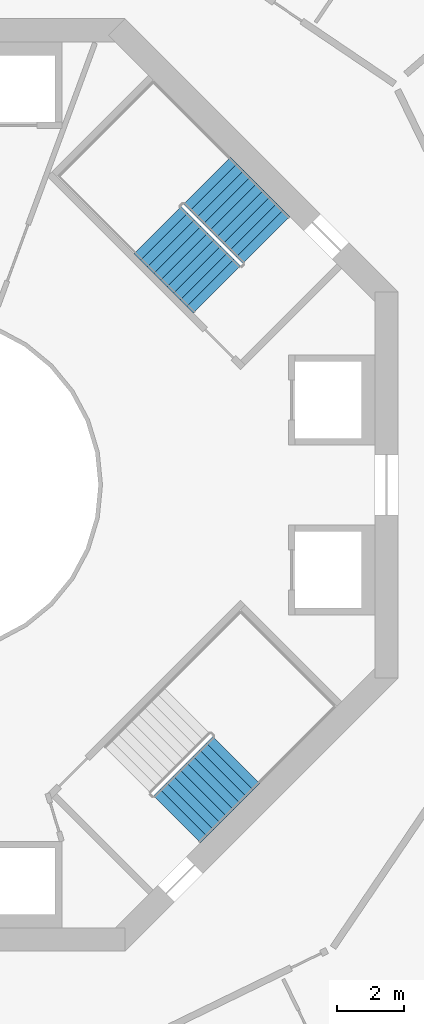
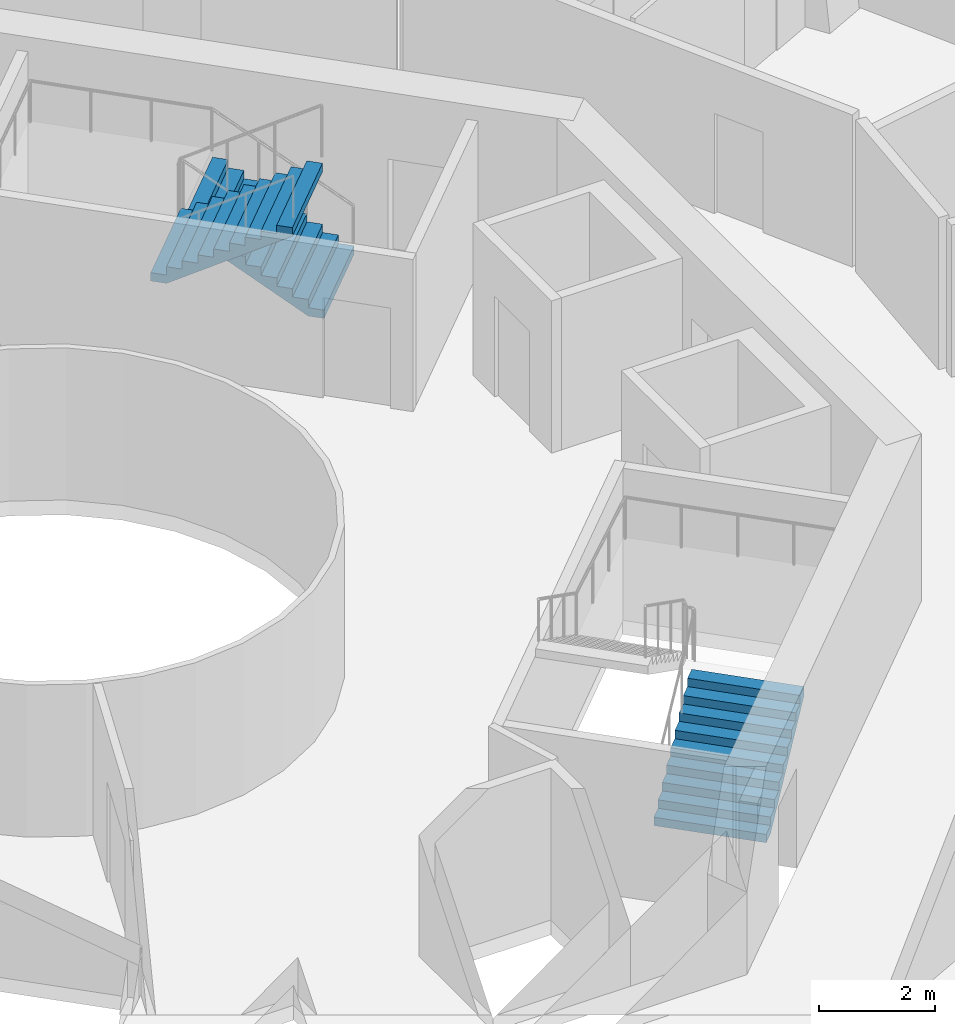
# One storey, part 21 of 22: 3 stair flights, 2 elements without a shape of their own.
"""IFC4 building model written with IfcOpenShell, lengths in metres."""

import ifcopenshell
import ifcopenshell.guid

model = None  # the IFC model being written
_history = None  # IfcOwnerHistory: only IFC2X3 demands one
_inside = {}  # id of a spatial element -> (the spatial element, [elements in it])
_under = {}  # id of a project, library or spatial element -> (it, [spatial elements below it])
_declared = {}  # id of a project -> (the project, [libraries it declares])
_typed = {}  # id of a type object -> (the type object, [elements of that type])
_made_of = {}  # id of a material, layer set ... -> (it, [elements and type objects made of it])


def new_model(schema):
    """Start an empty IFC model of exactly this schema.

    Asked for "IFC4X3", IfcOpenShell would pick the latest addendum, in which some entities
    have other attributes; the version numbers below select the first issue.
    IFC2X3 requires an IfcOwnerHistory on every rooted entity: one is made here for all.
    """
    global model, _history
    if schema == "IFC4X3":
        model = ifcopenshell.file(schema_version=(4, 3, 0, 0))
    else:
        model = ifcopenshell.file(schema=schema)
    _inside.clear()
    _under.clear()
    _declared.clear()
    _typed.clear()
    _made_of.clear()
    _history = None
    if model.schema == "IFC2X3":
        org = make("IfcOrganization", Name="unknown")
        user = make(
            "IfcPersonAndOrganization",
            ThePerson=make("IfcPerson", FamilyName="unknown"),
            TheOrganization=org,
        )
        app = make(
            "IfcApplication",
            ApplicationDeveloper=org,
            Version="unknown",
            ApplicationFullName="unknown",
            ApplicationIdentifier="unknown",
        )
        _history = make(
            "IfcOwnerHistory",
            OwningUser=user,
            OwningApplication=app,
            ChangeAction="ADDED",
            CreationDate=0,
        )
    return model


def make(cls, **values):
    """One entity of the class cls with the attributes given. An attribute that is None is left unset."""
    return model.create_entity(
        cls, **{name: value for name, value in values.items() if value is not None}
    )


def rooted(cls, **values):
    """An entity with a GlobalId (a new one), such as an element, a storey or a relation."""
    return make(cls, GlobalId=ifcopenshell.guid.new(), OwnerHistory=_history, **values)


def si_unit(unit_type, name, prefix=None):
    """IfcSIUnit, for example si_unit("LENGTHUNIT", "METRE", prefix="MILLI")."""
    return make("IfcSIUnit", UnitType=unit_type, Prefix=prefix, Name=name)


def assignment(units):
    """IfcUnitAssignment: the units of a project."""
    return None if units is None else make("IfcUnitAssignment", Units=units)


def point(xyz):
    """IfcCartesianPoint."""
    return None if xyz is None else make("IfcCartesianPoint", Coordinates=xyz)


def direction(xyz):
    """IfcDirection."""
    return None if xyz is None else make("IfcDirection", DirectionRatios=xyz)


def frame(location, z_axis=None, x_axis=None):
    """IfcAxis2Placement3D, a coordinate frame: its origin and axes. An axis left out is left unset."""
    return make(
        "IfcAxis2Placement3D",
        Location=point(location),
        Axis=direction(z_axis),
        RefDirection=direction(x_axis),
    )


def origin():
    """The frame at (0, 0, 0) with its axes left unset."""
    return frame((0.0, 0.0, 0.0))


def place(relative_to, where):
    """IfcLocalPlacement: puts the frame where relative to a parent placement (None: the world)."""
    return make(
        "IfcLocalPlacement", PlacementRelTo=relative_to, RelativePlacement=where
    )


def context(
    kind, dimensions, precision=None, world=None, true_north=None, identifier=None
):
    """IfcGeometricRepresentationContext, for example the 3D "Model" context."""
    return make(
        "IfcGeometricRepresentationContext",
        ContextIdentifier=identifier,
        ContextType=kind,
        CoordinateSpaceDimension=dimensions,
        Precision=precision,
        WorldCoordinateSystem=world,
        TrueNorth=true_north,
    )


def subcontext(parent, identifier, kind, view, scale=None):
    """IfcGeometricRepresentationSubContext, for example "Body" below "Model"."""
    return make(
        "IfcGeometricRepresentationSubContext",
        ContextIdentifier=identifier,
        ContextType=kind,
        ParentContext=parent,
        TargetScale=scale,
        TargetView=view,
    )


def project(units=None, contexts=None):
    """IfcProject with its units and contexts."""
    return rooted(
        "IfcProject",
        Name="project",
        RepresentationContexts=contexts,
        UnitsInContext=assignment(units),
    )


def spatial(cls, under=None, at=None, **own):
    """A site, building, storey or space (cls), placed at a placement, below another one or the project."""
    s = rooted(cls, ObjectPlacement=at, **own)
    if under is not None:
        _under.setdefault(under.id(), (under, []))[1].append(s)
    return s


def point_list(points):
    """IfcCartesianPointList2D or 3D."""
    cls = (
        "IfcCartesianPointList2D" if len(points[0]) == 2 else "IfcCartesianPointList3D"
    )
    return make(cls, CoordList=points)


def triangles(points, corners, closed=None, point_numbers=None):
    """IfcTriangulatedFaceSet: each triangle names its three corners, points numbered from 1."""
    return make(
        "IfcTriangulatedFaceSet",
        Coordinates=point_list(points),
        Closed=closed,
        CoordIndex=corners,
        PnIndex=point_numbers,
    )


def shape(context_of_items, identifier, shape_type, items):
    """IfcShapeRepresentation: the items that make up one representation, for example the "Body"."""
    return make(
        "IfcShapeRepresentation",
        ContextOfItems=context_of_items,
        RepresentationIdentifier=identifier,
        RepresentationType=shape_type,
        Items=items,
    )


def material(Name=None, Category=None):
    """IfcMaterial."""
    return make("IfcMaterial", Name=Name, Category=Category)


def made_of(thing, what):
    """Note that an element or type object is made of a material, layer set ...; save() writes the relation."""
    if what is not None:
        _made_of.setdefault(what.id(), (what, []))[1].append(thing)
    return thing


def type_object(cls, material=None, **own):
    """A type object (cls), such as IfcWallType, which elements share."""
    return made_of(rooted(cls, **own), material)


def element(
    cls,
    number,
    at=None,
    inside=None,
    cuts=None,
    type_object=None,
    material=None,
    context=None,
    identifier="Body",
    shape_type=None,
    held_by="IfcProductDefinitionShape",
    body=None,
    shapes=None,
    **own,
):
    """One element of the class cls, such as IfcWall. Its Tag is "e" and its number.

    at: its placement. inside: the storey or other place that contains it. cuts: it is an
    opening in that element (IfcRelVoidsElement). A single representation is given by context,
    identifier, shape_type and body (its items); several are given by shapes. held_by: the class
    of the entity that holds the representations. save() writes the other relations.
    """
    e = rooted(cls, Tag="e%d" % number, ObjectPlacement=at, **own)
    if body is not None:
        shapes = [shape(context, identifier, shape_type, body)]
    if shapes is not None:
        e.Representation = make(held_by, Representations=shapes)
    if inside is not None:
        _inside.setdefault(inside.id(), (inside, []))[1].append(e)
    if cuts is not None:
        rooted(
            "IfcRelVoidsElement", RelatingBuildingElement=cuts, RelatedOpeningElement=e
        )
    if type_object is not None:
        _typed.setdefault(type_object.id(), (type_object, []))[1].append(e)
    return made_of(e, material)


def aggregate(whole, parts):
    """IfcRelAggregates: a whole, such as a stair, and the parts it consists of."""
    return rooted("IfcRelAggregates", RelatingObject=whole, RelatedObjects=parts)


def save(model, path):
    """Write the relations noted so far, then the file.

    IfcRelAggregates (storeys below a building ...), IfcRelContainedInSpatialStructure (elements
    in a storey), IfcRelDefinesByType, IfcRelAssociatesMaterial and IfcRelDeclares: one each for
    every whole, place, type object, material and project.
    """
    for whole, parts in _under.values():
        aggregate(whole, parts)
    for where, things in _inside.values():
        rooted(
            "IfcRelContainedInSpatialStructure",
            RelatedElements=things,
            RelatingStructure=where,
        )
    for kind, things in _typed.values():
        rooted("IfcRelDefinesByType", RelatedObjects=things, RelatingType=kind)
    for what, things in _made_of.values():
        rooted("IfcRelAssociatesMaterial", RelatedObjects=things, RelatingMaterial=what)
    for by, libraries in _declared.values():
        rooted("IfcRelDeclares", RelatingContext=by, RelatedDefinitions=libraries)
    model.write(path)


model = new_model("IFC4")

# Units and contexts
model_context = context("Model", 3, precision=1e-05, world=origin(), true_north=direction((0.0, 1.0)))
body_context = subcontext(model_context, "Body", "Model", "MODEL_VIEW")
ifc_project = project(units=[si_unit("LENGTHUNIT", "METRE"), si_unit("AREAUNIT", "SQUARE_METRE"), si_unit("VOLUMEUNIT", "CUBIC_METRE"), si_unit("PLANEANGLEUNIT", "RADIAN"), si_unit("MASSUNIT", "GRAM", prefix="KILO")], contexts=[model_context])

# Site, building, storey
site_placement = place(None, origin())
site = spatial("IfcSite", under=ifc_project, at=site_placement, CompositionType="ELEMENT")
building_placement = place(site_placement, origin())
building = spatial("IfcBuilding", under=site, at=building_placement, Name="Verdalira Terraces Hotel", CompositionType="ELEMENT")
storey_placement = place(building_placement, frame((0.0, 0.0, 140.0)))
storey = spatial("IfcBuildingStorey", under=building, at=storey_placement, Name="L33", CompositionType="ELEMENT", Elevation=140.0)

# Stair, stair flights
ifc_material_1 = material(Name="Concrete C40", Category="concrete")
stair_type = type_object("IfcStairType", Name="Core stair 20 risers 2000 mm wide", PredefinedType="HALF_TURN_STAIR", material=ifc_material_1)
stair_1_placement = place(storey_placement, origin())
stair_1 = element("IfcStair", 1, at=stair_1_placement, inside=storey, type_object=stair_type, Name="L33 Exit stair ST1", PredefinedType="HALF_TURN_STAIR")
ifc_material_2 = material(Name="Concrete C40", Category="concrete")
stair_flight_type = type_object("IfcStairFlightType", Name="Core stair flight 20 risers 2000 mm wide", PredefinedType="STRAIGHT", material=ifc_material_2)
stair_flight_1_placement = place(storey_placement, frame((10.041016, 7.354004, 0.0), z_axis=(0.0, 0.0, 1.0), x_axis=(-0.707106781, 0.707106781, 0.0)))
stair_flight_1 = element("IfcStairFlight", 2, at=stair_flight_1_placement, type_object=stair_flight_type, Name="ST1 flight 1", NumberOfRisers=10, NumberOfTreads=9, PredefinedType="STRAIGHT", RiserHeight=0.175, TreadLength=0.28, context=body_context, shape_type="Tessellation", body=[
    triangles([(0.0, 1.0, 0.0), (0.282715, 1.0, 0.0), (2.52002, 1.0, 1.398193), (0.0, -1.0, 0.0), (0.282715, -1.0, 0.0), (2.52002, -1.0, 1.398193), (2.52002, 1.0, 1.574951), (2.23999, 1.0, 1.574951), (2.52002, -1.0, 1.574951), (2.23999, -1.0, 1.574951), (2.23999, 1.0, 1.399902), (2.23999, -1.0, 1.399902), (1.959961, 1.0, 1.399902), (1.959961, -1.0, 1.399902), (1.959961, 1.0, 1.225098), (1.959961, -1.0, 1.225098), (1.679932, 1.0, 1.225098), (1.679932, 1.0, 1.050049), (1.679932, -1.0, 1.225098), (1.679932, -1.0, 1.050049), (1.399902, 1.0, 1.050049), (1.399902, 1.0, 0.875), (1.399902, -1.0, 1.050049), (1.399902, -1.0, 0.875), (1.120117, 1.0, 0.875), (1.120117, 1.0, 0.699951), (1.120117, -1.0, 0.875), (1.120117, -1.0, 0.699951), (0.840088, 1.0, 0.699951), (0.840088, 1.0, 0.524902), (0.840088, -1.0, 0.699951), (0.840088, -1.0, 0.524902), (0.560059, 1.0, 0.524902), (0.560059, 1.0, 0.350098), (0.560059, -1.0, 0.524902), (0.560059, -1.0, 0.350098), (0.280029, 1.0, 0.350098), (0.280029, 1.0, 0.175049), (0.280029, -1.0, 0.350098), (0.280029, -1.0, 0.175049), (0.0, 1.0, 0.175049), (0.0, -1.0, 0.175049), (0.0, -0.9375, 0.0), (0.0, -0.9375, 0.175049), (0.0, -0.875, 0.0), (0.0, -0.875, 0.175049), (0.0, -0.8125, 0.0), (0.0, -0.8125, 0.175049), (0.0, -0.75, 0.0), (0.0, -0.75, 0.175049), (0.0, -0.6875, 0.0), (0.0, -0.6875, 0.175049), (0.0, -0.625, 0.0), (0.0, -0.625, 0.175049), (0.0, -0.5625, 0.0), (0.0, -0.5625, 0.175049), (0.0, -0.5, 0.0), (0.0, -0.5, 0.175049), (0.0, -0.4375, 0.0), (0.0, -0.4375, 0.175049), (0.0, -0.375, 0.0), (0.0, -0.375, 0.175049), (0.0, -0.3125, 0.0), (0.0, -0.3125, 0.175049), (0.0, -0.25, 0.0), (0.0, -0.25, 0.175049), (0.0, -0.1875, 0.0), (0.0, -0.1875, 0.175049), (0.0, -0.125, 0.0), (0.0, -0.125, 0.175049), (0.0, -0.0625, 0.0), (0.0, -0.0625, 0.175049), (0.0, 0.0, 0.0), (0.0, 0.0, 0.175049), (0.0, 0.0625, 0.0), (0.0, 0.0625, 0.175049), (0.0, 0.125, 0.0), (0.0, 0.125, 0.175049), (0.0, 0.1875, 0.0), (0.0, 0.1875, 0.175049), (0.0, 0.25, 0.0), (0.0, 0.25, 0.175049), (0.0, 0.3125, 0.0), (0.0, 0.3125, 0.175049), (0.0, 0.375, 0.0), (0.0, 0.375, 0.175049), (0.0, 0.4375, 0.0), (0.0, 0.4375, 0.175049), (0.0, 0.5, 0.0), (0.0, 0.5, 0.175049), (0.0, 0.5625, 0.0), (0.0, 0.5625, 0.175049), (0.0, 0.625, 0.0), (0.0, 0.625, 0.175049), (0.0, 0.6875, 0.0), (0.0, 0.6875, 0.175049), (0.0, 0.75, 0.0), (0.0, 0.75, 0.175049), (0.0, 0.8125, 0.0), (0.0, 0.8125, 0.175049), (0.0, 0.875, 0.0), (0.0, 0.875, 0.175049), (0.0, 0.9375, 0.0), (0.0, 0.9375, 0.175049), (2.52002, -0.9375, 1.574951), (2.52002, -0.875, 1.574951), (2.52002, -0.8125, 1.574951), (2.52002, -0.75, 1.574951), (2.52002, -0.6875, 1.574951), (2.52002, -0.625, 1.574951), (2.52002, -0.5625, 1.574951), (2.52002, -0.5, 1.574951), (2.52002, -0.4375, 1.574951), (2.52002, -0.375, 1.574951), (2.52002, -0.3125, 1.574951), (2.52002, -0.25, 1.574951), (2.52002, -0.1875, 1.574951), (2.52002, -0.125, 1.574951), (2.52002, -0.0625, 1.574951), (2.52002, 0.0, 1.574951), (2.52002, 0.0625, 1.574951), (2.52002, 0.125, 1.574951), (2.52002, 0.1875, 1.574951), (2.52002, 0.25, 1.574951), (2.52002, 0.3125, 1.574951), (2.52002, 0.375, 1.574951), (2.52002, 0.4375, 1.574951), (2.52002, 0.5, 1.574951), (2.52002, 0.5625, 1.574951), (2.52002, 0.625, 1.574951), (2.52002, 0.6875, 1.574951), (2.52002, 0.75, 1.574951), (2.52002, 0.8125, 1.574951), (2.52002, 0.875, 1.574951), (2.52002, 0.9375, 1.574951), (2.52002, -0.9375, 1.398193), (2.52002, -0.875, 1.398193), (2.52002, -0.8125, 1.398193), (2.52002, -0.75, 1.398193), (2.52002, -0.6875, 1.398193), (2.52002, -0.625, 1.398193), (2.52002, -0.5625, 1.398193), (2.52002, -0.5, 1.398193), (2.52002, -0.4375, 1.398193), (2.52002, -0.375, 1.398193), (2.52002, -0.3125, 1.398193), (2.52002, -0.25, 1.398193), (2.52002, -0.1875, 1.398193), (2.52002, -0.125, 1.398193), (2.52002, -0.0625, 1.398193), (2.52002, 0.0, 1.398193), (2.52002, 0.0625, 1.398193), (2.52002, 0.125, 1.398193), (2.52002, 0.1875, 1.398193), (2.52002, 0.25, 1.398193), (2.52002, 0.3125, 1.398193), (2.52002, 0.375, 1.398193), (2.52002, 0.4375, 1.398193), (2.52002, 0.5, 1.398193), (2.52002, 0.5625, 1.398193), (2.52002, 0.625, 1.398193), (2.52002, 0.6875, 1.398193), (2.52002, 0.75, 1.398193), (2.52002, 0.8125, 1.398193), (2.52002, 0.875, 1.398193), (2.52002, 0.9375, 1.398193)], [[1, 3, 2], [4, 5, 6], [3, 8, 7], [6, 9, 10], [3, 11, 8], [6, 10, 12], [3, 13, 11], [6, 12, 14], [3, 15, 13], [6, 14, 16], [15, 18, 17], [16, 19, 20], [3, 18, 15], [6, 16, 20], [18, 22, 21], [20, 23, 24], [3, 22, 18], [6, 20, 24], [22, 26, 25], [24, 27, 28], [3, 26, 22], [6, 24, 28], [26, 30, 29], [28, 31, 32], [3, 30, 26], [6, 28, 32], [1, 30, 3], [4, 6, 32], [30, 34, 33], [32, 35, 36], [34, 38, 37], [36, 39, 40], [30, 38, 34], [32, 36, 40], [1, 38, 30], [4, 32, 40], [38, 1, 41], [40, 42, 4], [4, 44, 43], [4, 42, 44], [43, 46, 45], [43, 44, 46], [45, 48, 47], [45, 46, 48], [47, 50, 49], [47, 48, 50], [49, 52, 51], [49, 50, 52], [51, 54, 53], [51, 52, 54], [53, 56, 55], [53, 54, 56], [55, 58, 57], [55, 56, 58], [57, 60, 59], [57, 58, 60], [59, 62, 61], [59, 60, 62], [61, 64, 63], [61, 62, 64], [63, 66, 65], [63, 64, 66], [65, 68, 67], [65, 66, 68], [67, 70, 69], [67, 68, 70], [69, 72, 71], [69, 70, 72], [71, 74, 73], [71, 72, 74], [73, 76, 75], [73, 74, 76], [75, 78, 77], [75, 76, 78], [77, 80, 79], [77, 78, 80], [79, 82, 81], [79, 80, 82], [81, 84, 83], [81, 82, 84], [83, 86, 85], [83, 84, 86], [85, 88, 87], [85, 86, 88], [87, 90, 89], [87, 88, 90], [89, 92, 91], [89, 90, 92], [91, 94, 93], [91, 92, 94], [93, 96, 95], [93, 94, 96], [95, 98, 97], [95, 96, 98], [97, 100, 99], [97, 98, 100], [99, 102, 101], [99, 100, 102], [101, 104, 103], [101, 102, 104], [103, 41, 1], [103, 104, 41], [42, 40, 44], [44, 40, 46], [46, 40, 48], [48, 40, 50], [50, 40, 52], [52, 40, 54], [54, 40, 56], [56, 40, 58], [58, 40, 60], [60, 40, 62], [62, 40, 64], [64, 40, 66], [66, 40, 68], [68, 40, 70], [70, 40, 72], [72, 40, 74], [74, 40, 76], [76, 40, 78], [78, 40, 80], [80, 40, 82], [82, 40, 84], [84, 40, 86], [86, 40, 88], [88, 40, 90], [90, 40, 92], [92, 40, 94], [94, 40, 96], [96, 40, 98], [98, 40, 100], [100, 40, 102], [102, 40, 104], [104, 40, 41], [41, 40, 38], [40, 37, 38], [40, 39, 37], [39, 34, 37], [39, 36, 34], [36, 33, 34], [36, 35, 33], [35, 30, 33], [35, 32, 30], [32, 29, 30], [32, 31, 29], [31, 26, 29], [31, 28, 26], [28, 25, 26], [28, 27, 25], [27, 22, 25], [27, 24, 22], [24, 21, 22], [24, 23, 21], [23, 18, 21], [23, 20, 18], [20, 17, 18], [20, 19, 17], [19, 15, 17], [19, 16, 15], [16, 13, 15], [16, 14, 13], [14, 11, 13], [14, 12, 11], [12, 8, 11], [12, 10, 8], [9, 105, 10], [105, 106, 10], [106, 107, 10], [107, 108, 10], [108, 109, 10], [109, 110, 10], [110, 111, 10], [111, 112, 10], [112, 113, 10], [113, 114, 10], [114, 115, 10], [115, 116, 10], [116, 117, 10], [117, 118, 10], [118, 119, 10], [119, 120, 10], [120, 121, 10], [121, 122, 10], [122, 123, 10], [123, 124, 10], [124, 125, 10], [125, 126, 10], [126, 127, 10], [127, 128, 10], [128, 129, 10], [129, 130, 10], [130, 131, 10], [131, 132, 10], [132, 133, 10], [133, 134, 10], [134, 135, 10], [135, 7, 10], [7, 8, 10], [9, 136, 105], [9, 6, 136], [105, 137, 106], [105, 136, 137], [106, 138, 107], [106, 137, 138], [107, 139, 108], [107, 138, 139], [108, 140, 109], [108, 139, 140], [109, 141, 110], [109, 140, 141], [110, 142, 111], [110, 141, 142], [111, 143, 112], [111, 142, 143], [112, 144, 113], [112, 143, 144], [113, 145, 114], [113, 144, 145], [114, 146, 115], [114, 145, 146], [115, 147, 116], [115, 146, 147], [116, 148, 117], [116, 147, 148], [117, 149, 118], [117, 148, 149], [118, 150, 119], [118, 149, 150], [119, 151, 120], [119, 150, 151], [120, 152, 121], [120, 151, 152], [121, 153, 122], [121, 152, 153], [122, 154, 123], [122, 153, 154], [123, 155, 124], [123, 154, 155], [124, 156, 125], [124, 155, 156], [125, 157, 126], [125, 156, 157], [126, 158, 127], [126, 157, 158], [127, 159, 128], [127, 158, 159], [128, 160, 129], [128, 159, 160], [129, 161, 130], [129, 160, 161], [130, 162, 131], [130, 161, 162], [131, 163, 132], [131, 162, 163], [132, 164, 133], [132, 163, 164], [133, 165, 134], [133, 164, 165], [134, 166, 135], [134, 165, 166], [135, 3, 7], [135, 166, 3], [6, 5, 136], [136, 5, 137], [137, 5, 138], [138, 5, 139], [139, 5, 140], [140, 5, 141], [141, 5, 142], [142, 5, 143], [143, 5, 144], [144, 5, 145], [145, 5, 146], [146, 5, 147], [147, 5, 148], [148, 5, 149], [149, 5, 150], [150, 5, 151], [151, 5, 152], [152, 5, 153], [153, 5, 154], [154, 5, 155], [155, 5, 156], [156, 5, 157], [157, 5, 158], [158, 5, 159], [159, 5, 160], [160, 5, 161], [161, 5, 162], [162, 5, 163], [163, 5, 164], [164, 5, 165], [165, 5, 166], [166, 5, 3], [3, 5, 2], [4, 43, 5], [43, 45, 5], [45, 47, 5], [47, 49, 5], [49, 51, 5], [51, 53, 5], [53, 55, 5], [55, 57, 5], [57, 59, 5], [59, 61, 5], [61, 63, 5], [63, 65, 5], [65, 67, 5], [67, 69, 5], [69, 71, 5], [71, 73, 5], [73, 75, 5], [75, 77, 5], [77, 79, 5], [79, 81, 5], [81, 83, 5], [83, 85, 5], [85, 87, 5], [87, 89, 5], [89, 91, 5], [91, 93, 5], [93, 95, 5], [95, 97, 5], [97, 99, 5], [99, 101, 5], [101, 103, 5], [103, 1, 5], [1, 2, 5]], closed=True),
])
stair_flight_2_placement = place(storey_placement, frame((6.77417, 7.650879, 1.75), z_axis=(0.0, 0.0, 1.0), x_axis=(0.707106781, -0.707106781, 0.0)))
stair_flight_2 = element("IfcStairFlight", 3, at=stair_flight_2_placement, type_object=stair_flight_type, Name="ST1 flight 2", NumberOfRisers=10, NumberOfTreads=9, PredefinedType="STRAIGHT", RiserHeight=0.175, TreadLength=0.28, context=body_context, shape_type="Tessellation", body=[
    triangles([(0.0, 1.0, 0.0), (0.282715, 1.0, 0.0), (2.52002, 1.0, 1.398193), (0.0, -1.0, 0.0), (0.282715, -1.0, 0.0), (2.52002, -1.0, 1.398193), (2.52002, 1.0, 1.574951), (2.23999, 1.0, 1.574951), (2.52002, -1.0, 1.574951), (2.23999, -1.0, 1.574951), (2.23999, 1.0, 1.399902), (2.23999, -1.0, 1.399902), (1.959961, 1.0, 1.399902), (1.959961, -1.0, 1.399902), (1.959961, 1.0, 1.225098), (1.959961, -1.0, 1.225098), (1.679932, 1.0, 1.225098), (1.679932, 1.0, 1.050049), (1.679932, -1.0, 1.225098), (1.679932, -1.0, 1.050049), (1.399902, 1.0, 1.050049), (1.399902, 1.0, 0.875), (1.399902, -1.0, 1.050049), (1.399902, -1.0, 0.875), (1.120117, 1.0, 0.875), (1.120117, 1.0, 0.699951), (1.120117, -1.0, 0.875), (1.120117, -1.0, 0.699951), (0.840088, 1.0, 0.699951), (0.840088, 1.0, 0.524902), (0.840088, -1.0, 0.699951), (0.840088, -1.0, 0.524902), (0.560059, 1.0, 0.524902), (0.560059, 1.0, 0.350098), (0.560059, -1.0, 0.524902), (0.560059, -1.0, 0.350098), (0.280029, 1.0, 0.350098), (0.280029, 1.0, 0.175049), (0.280029, -1.0, 0.350098), (0.280029, -1.0, 0.175049), (0.0, 1.0, 0.175049), (0.0, -1.0, 0.175049), (0.0, -0.9375, 0.0), (0.0, -0.9375, 0.175049), (0.0, -0.875, 0.0), (0.0, -0.875, 0.175049), (0.0, -0.8125, 0.0), (0.0, -0.8125, 0.175049), (0.0, -0.75, 0.0), (0.0, -0.75, 0.175049), (0.0, -0.6875, 0.0), (0.0, -0.6875, 0.175049), (0.0, -0.625, 0.0), (0.0, -0.625, 0.175049), (0.0, -0.5625, 0.0), (0.0, -0.5625, 0.175049), (0.0, -0.5, 0.0), (0.0, -0.5, 0.175049), (0.0, -0.4375, 0.0), (0.0, -0.4375, 0.175049), (0.0, -0.375, 0.0), (0.0, -0.375, 0.175049), (0.0, -0.3125, 0.0), (0.0, -0.3125, 0.175049), (0.0, -0.25, 0.0), (0.0, -0.25, 0.175049), (0.0, -0.1875, 0.0), (0.0, -0.1875, 0.175049), (0.0, -0.125, 0.0), (0.0, -0.125, 0.175049), (0.0, -0.0625, 0.0), (0.0, -0.0625, 0.175049), (0.0, 0.0, 0.0), (0.0, 0.0, 0.175049), (0.0, 0.0625, 0.0), (0.0, 0.0625, 0.175049), (0.0, 0.125, 0.0), (0.0, 0.125, 0.175049), (0.0, 0.1875, 0.0), (0.0, 0.1875, 0.175049), (0.0, 0.25, 0.0), (0.0, 0.25, 0.175049), (0.0, 0.3125, 0.0), (0.0, 0.3125, 0.175049), (0.0, 0.375, 0.0), (0.0, 0.375, 0.175049), (0.0, 0.4375, 0.0), (0.0, 0.4375, 0.175049), (0.0, 0.5, 0.0), (0.0, 0.5, 0.175049), (0.0, 0.5625, 0.0), (0.0, 0.5625, 0.175049), (0.0, 0.625, 0.0), (0.0, 0.625, 0.175049), (0.0, 0.6875, 0.0), (0.0, 0.6875, 0.175049), (0.0, 0.75, 0.0), (0.0, 0.75, 0.175049), (0.0, 0.8125, 0.0), (0.0, 0.8125, 0.175049), (0.0, 0.875, 0.0), (0.0, 0.875, 0.175049), (0.0, 0.9375, 0.0), (0.0, 0.9375, 0.175049), (2.52002, -0.9375, 1.574951), (2.52002, -0.875, 1.574951), (2.52002, -0.8125, 1.574951), (2.52002, -0.75, 1.574951), (2.52002, -0.6875, 1.574951), (2.52002, -0.625, 1.574951), (2.52002, -0.5625, 1.574951), (2.52002, -0.5, 1.574951), (2.52002, -0.4375, 1.574951), (2.52002, -0.375, 1.574951), (2.52002, -0.3125, 1.574951), (2.52002, -0.25, 1.574951), (2.52002, -0.1875, 1.574951), (2.52002, -0.125, 1.574951), (2.52002, -0.0625, 1.574951), (2.52002, 0.0, 1.574951), (2.52002, 0.0625, 1.574951), (2.52002, 0.125, 1.574951), (2.52002, 0.1875, 1.574951), (2.52002, 0.25, 1.574951), (2.52002, 0.3125, 1.574951), (2.52002, 0.375, 1.574951), (2.52002, 0.4375, 1.574951), (2.52002, 0.5, 1.574951), (2.52002, 0.5625, 1.574951), (2.52002, 0.625, 1.574951), (2.52002, 0.6875, 1.574951), (2.52002, 0.75, 1.574951), (2.52002, 0.8125, 1.574951), (2.52002, 0.875, 1.574951), (2.52002, 0.9375, 1.574951), (2.52002, -0.9375, 1.398193), (2.52002, -0.875, 1.398193), (2.52002, -0.8125, 1.398193), (2.52002, -0.75, 1.398193), (2.52002, -0.6875, 1.398193), (2.52002, -0.625, 1.398193), (2.52002, -0.5625, 1.398193), (2.52002, -0.5, 1.398193), (2.52002, -0.4375, 1.398193), (2.52002, -0.375, 1.398193), (2.52002, -0.3125, 1.398193), (2.52002, -0.25, 1.398193), (2.52002, -0.1875, 1.398193), (2.52002, -0.125, 1.398193), (2.52002, -0.0625, 1.398193), (2.52002, 0.0, 1.398193), (2.52002, 0.0625, 1.398193), (2.52002, 0.125, 1.398193), (2.52002, 0.1875, 1.398193), (2.52002, 0.25, 1.398193), (2.52002, 0.3125, 1.398193), (2.52002, 0.375, 1.398193), (2.52002, 0.4375, 1.398193), (2.52002, 0.5, 1.398193), (2.52002, 0.5625, 1.398193), (2.52002, 0.625, 1.398193), (2.52002, 0.6875, 1.398193), (2.52002, 0.75, 1.398193), (2.52002, 0.8125, 1.398193), (2.52002, 0.875, 1.398193), (2.52002, 0.9375, 1.398193)], [[1, 3, 2], [4, 5, 6], [3, 8, 7], [6, 9, 10], [3, 11, 8], [6, 10, 12], [3, 13, 11], [6, 12, 14], [3, 15, 13], [6, 14, 16], [15, 18, 17], [16, 19, 20], [3, 18, 15], [6, 16, 20], [18, 22, 21], [20, 23, 24], [3, 22, 18], [6, 20, 24], [22, 26, 25], [24, 27, 28], [3, 26, 22], [6, 24, 28], [26, 30, 29], [28, 31, 32], [3, 30, 26], [6, 28, 32], [1, 30, 3], [4, 6, 32], [30, 34, 33], [32, 35, 36], [34, 38, 37], [36, 39, 40], [30, 38, 34], [32, 36, 40], [1, 38, 30], [4, 32, 40], [38, 1, 41], [40, 42, 4], [4, 44, 43], [4, 42, 44], [43, 46, 45], [43, 44, 46], [45, 48, 47], [45, 46, 48], [47, 50, 49], [47, 48, 50], [49, 52, 51], [49, 50, 52], [51, 54, 53], [51, 52, 54], [53, 56, 55], [53, 54, 56], [55, 58, 57], [55, 56, 58], [57, 60, 59], [57, 58, 60], [59, 62, 61], [59, 60, 62], [61, 64, 63], [61, 62, 64], [63, 66, 65], [63, 64, 66], [65, 68, 67], [65, 66, 68], [67, 70, 69], [67, 68, 70], [69, 72, 71], [69, 70, 72], [71, 74, 73], [71, 72, 74], [73, 76, 75], [73, 74, 76], [75, 78, 77], [75, 76, 78], [77, 80, 79], [77, 78, 80], [79, 82, 81], [79, 80, 82], [81, 84, 83], [81, 82, 84], [83, 86, 85], [83, 84, 86], [85, 88, 87], [85, 86, 88], [87, 90, 89], [87, 88, 90], [89, 92, 91], [89, 90, 92], [91, 94, 93], [91, 92, 94], [93, 96, 95], [93, 94, 96], [95, 98, 97], [95, 96, 98], [97, 100, 99], [97, 98, 100], [99, 102, 101], [99, 100, 102], [101, 104, 103], [101, 102, 104], [103, 41, 1], [103, 104, 41], [42, 40, 44], [44, 40, 46], [46, 40, 48], [48, 40, 50], [50, 40, 52], [52, 40, 54], [54, 40, 56], [56, 40, 58], [58, 40, 60], [60, 40, 62], [62, 40, 64], [64, 40, 66], [66, 40, 68], [68, 40, 70], [70, 40, 72], [72, 40, 74], [74, 40, 76], [76, 40, 78], [78, 40, 80], [80, 40, 82], [82, 40, 84], [84, 40, 86], [86, 40, 88], [88, 40, 90], [90, 40, 92], [92, 40, 94], [94, 40, 96], [96, 40, 98], [98, 40, 100], [100, 40, 102], [102, 40, 104], [104, 40, 41], [41, 40, 38], [40, 37, 38], [40, 39, 37], [39, 34, 37], [39, 36, 34], [36, 33, 34], [36, 35, 33], [35, 30, 33], [35, 32, 30], [32, 29, 30], [32, 31, 29], [31, 26, 29], [31, 28, 26], [28, 25, 26], [28, 27, 25], [27, 22, 25], [27, 24, 22], [24, 21, 22], [24, 23, 21], [23, 18, 21], [23, 20, 18], [20, 17, 18], [20, 19, 17], [19, 15, 17], [19, 16, 15], [16, 13, 15], [16, 14, 13], [14, 11, 13], [14, 12, 11], [12, 8, 11], [12, 10, 8], [9, 105, 10], [105, 106, 10], [106, 107, 10], [107, 108, 10], [108, 109, 10], [109, 110, 10], [110, 111, 10], [111, 112, 10], [112, 113, 10], [113, 114, 10], [114, 115, 10], [115, 116, 10], [116, 117, 10], [117, 118, 10], [118, 119, 10], [119, 120, 10], [120, 121, 10], [121, 122, 10], [122, 123, 10], [123, 124, 10], [124, 125, 10], [125, 126, 10], [126, 127, 10], [127, 128, 10], [128, 129, 10], [129, 130, 10], [130, 131, 10], [131, 132, 10], [132, 133, 10], [133, 134, 10], [134, 135, 10], [135, 7, 10], [7, 8, 10], [9, 136, 105], [9, 6, 136], [105, 137, 106], [105, 136, 137], [106, 138, 107], [106, 137, 138], [107, 139, 108], [107, 138, 139], [108, 140, 109], [108, 139, 140], [109, 141, 110], [109, 140, 141], [110, 142, 111], [110, 141, 142], [111, 143, 112], [111, 142, 143], [112, 144, 113], [112, 143, 144], [113, 145, 114], [113, 144, 145], [114, 146, 115], [114, 145, 146], [115, 147, 116], [115, 146, 147], [116, 148, 117], [116, 147, 148], [117, 149, 118], [117, 148, 149], [118, 150, 119], [118, 149, 150], [119, 151, 120], [119, 150, 151], [120, 152, 121], [120, 151, 152], [121, 153, 122], [121, 152, 153], [122, 154, 123], [122, 153, 154], [123, 155, 124], [123, 154, 155], [124, 156, 125], [124, 155, 156], [125, 157, 126], [125, 156, 157], [126, 158, 127], [126, 157, 158], [127, 159, 128], [127, 158, 159], [128, 160, 129], [128, 159, 160], [129, 161, 130], [129, 160, 161], [130, 162, 131], [130, 161, 162], [131, 163, 132], [131, 162, 163], [132, 164, 133], [132, 163, 164], [133, 165, 134], [133, 164, 165], [134, 166, 135], [134, 165, 166], [135, 3, 7], [135, 166, 3], [6, 5, 136], [136, 5, 137], [137, 5, 138], [138, 5, 139], [139, 5, 140], [140, 5, 141], [141, 5, 142], [142, 5, 143], [143, 5, 144], [144, 5, 145], [145, 5, 146], [146, 5, 147], [147, 5, 148], [148, 5, 149], [149, 5, 150], [150, 5, 151], [151, 5, 152], [152, 5, 153], [153, 5, 154], [154, 5, 155], [155, 5, 156], [156, 5, 157], [157, 5, 158], [158, 5, 159], [159, 5, 160], [160, 5, 161], [161, 5, 162], [162, 5, 163], [163, 5, 164], [164, 5, 165], [165, 5, 166], [166, 5, 3], [3, 5, 2], [4, 43, 5], [43, 45, 5], [45, 47, 5], [47, 49, 5], [49, 51, 5], [51, 53, 5], [53, 55, 5], [55, 57, 5], [57, 59, 5], [59, 61, 5], [61, 63, 5], [63, 65, 5], [65, 67, 5], [67, 69, 5], [69, 71, 5], [71, 73, 5], [73, 75, 5], [75, 77, 5], [77, 79, 5], [79, 81, 5], [81, 83, 5], [83, 85, 5], [85, 87, 5], [87, 89, 5], [89, 91, 5], [91, 93, 5], [93, 95, 5], [95, 97, 5], [97, 99, 5], [99, 101, 5], [101, 103, 5], [103, 1, 5], [1, 2, 5]], closed=True),
])
aggregate(stair_1, [stair_flight_1, stair_flight_2])

# Stair, stair flight
stair_2_placement = place(storey_placement, origin())
stair_2 = element("IfcStair", 4, at=stair_2_placement, inside=storey, type_object=stair_type, Name="L33 Exit stair ST3", PredefinedType="HALF_TURN_STAIR")
stair_flight_3_placement = place(storey_placement, frame((7.354004, -10.041016, 0.0), z_axis=(0.0, 0.0, 1.0), x_axis=(0.707106781, 0.707106781, 0.0)))
stair_flight_3 = element("IfcStairFlight", 5, at=stair_flight_3_placement, type_object=stair_flight_type, Name="ST3 flight 1", NumberOfRisers=10, NumberOfTreads=9, PredefinedType="STRAIGHT", RiserHeight=0.175, TreadLength=0.28, context=body_context, shape_type="Tessellation", body=[
    triangles([(0.0, 1.0, 0.0), (0.282715, 1.0, 0.0), (2.52002, 1.0, 1.398193), (0.0, -1.0, 0.0), (0.282715, -1.0, 0.0), (2.52002, -1.0, 1.398193), (2.52002, 1.0, 1.574951), (2.23999, 1.0, 1.574951), (2.52002, -1.0, 1.574951), (2.23999, -1.0, 1.574951), (2.23999, 1.0, 1.399902), (2.23999, -1.0, 1.399902), (1.959961, 1.0, 1.399902), (1.959961, -1.0, 1.399902), (1.959961, 1.0, 1.225098), (1.959961, -1.0, 1.225098), (1.679932, 1.0, 1.225098), (1.679932, 1.0, 1.050049), (1.679932, -1.0, 1.225098), (1.679932, -1.0, 1.050049), (1.399902, 1.0, 1.050049), (1.399902, 1.0, 0.875), (1.399902, -1.0, 1.050049), (1.399902, -1.0, 0.875), (1.120117, 1.0, 0.875), (1.120117, 1.0, 0.699951), (1.120117, -1.0, 0.875), (1.120117, -1.0, 0.699951), (0.840088, 1.0, 0.699951), (0.840088, 1.0, 0.524902), (0.840088, -1.0, 0.699951), (0.840088, -1.0, 0.524902), (0.560059, 1.0, 0.524902), (0.560059, 1.0, 0.350098), (0.560059, -1.0, 0.524902), (0.560059, -1.0, 0.350098), (0.280029, 1.0, 0.350098), (0.280029, 1.0, 0.175049), (0.280029, -1.0, 0.350098), (0.280029, -1.0, 0.175049), (0.0, 1.0, 0.175049), (0.0, -1.0, 0.175049), (0.0, -0.9375, 0.0), (0.0, -0.9375, 0.175049), (0.0, -0.875, 0.0), (0.0, -0.875, 0.175049), (0.0, -0.8125, 0.0), (0.0, -0.8125, 0.175049), (0.0, -0.75, 0.0), (0.0, -0.75, 0.175049), (0.0, -0.6875, 0.0), (0.0, -0.6875, 0.175049), (0.0, -0.625, 0.0), (0.0, -0.625, 0.175049), (0.0, -0.5625, 0.0), (0.0, -0.5625, 0.175049), (0.0, -0.5, 0.0), (0.0, -0.5, 0.175049), (0.0, -0.4375, 0.0), (0.0, -0.4375, 0.175049), (0.0, -0.375, 0.0), (0.0, -0.375, 0.175049), (0.0, -0.3125, 0.0), (0.0, -0.3125, 0.175049), (0.0, -0.25, 0.0), (0.0, -0.25, 0.175049), (0.0, -0.1875, 0.0), (0.0, -0.1875, 0.175049), (0.0, -0.125, 0.0), (0.0, -0.125, 0.175049), (0.0, -0.0625, 0.0), (0.0, -0.0625, 0.175049), (0.0, 0.0, 0.0), (0.0, 0.0, 0.175049), (0.0, 0.0625, 0.0), (0.0, 0.0625, 0.175049), (0.0, 0.125, 0.0), (0.0, 0.125, 0.175049), (0.0, 0.1875, 0.0), (0.0, 0.1875, 0.175049), (0.0, 0.25, 0.0), (0.0, 0.25, 0.175049), (0.0, 0.3125, 0.0), (0.0, 0.3125, 0.175049), (0.0, 0.375, 0.0), (0.0, 0.375, 0.175049), (0.0, 0.4375, 0.0), (0.0, 0.4375, 0.175049), (0.0, 0.5, 0.0), (0.0, 0.5, 0.175049), (0.0, 0.5625, 0.0), (0.0, 0.5625, 0.175049), (0.0, 0.625, 0.0), (0.0, 0.625, 0.175049), (0.0, 0.6875, 0.0), (0.0, 0.6875, 0.175049), (0.0, 0.75, 0.0), (0.0, 0.75, 0.175049), (0.0, 0.8125, 0.0), (0.0, 0.8125, 0.175049), (0.0, 0.875, 0.0), (0.0, 0.875, 0.175049), (0.0, 0.9375, 0.0), (0.0, 0.9375, 0.175049), (2.52002, -0.9375, 1.574951), (2.52002, -0.875, 1.574951), (2.52002, -0.8125, 1.574951), (2.52002, -0.75, 1.574951), (2.52002, -0.6875, 1.574951), (2.52002, -0.625, 1.574951), (2.52002, -0.5625, 1.574951), (2.52002, -0.5, 1.574951), (2.52002, -0.4375, 1.574951), (2.52002, -0.375, 1.574951), (2.52002, -0.3125, 1.574951), (2.52002, -0.25, 1.574951), (2.52002, -0.1875, 1.574951), (2.52002, -0.125, 1.574951), (2.52002, -0.0625, 1.574951), (2.52002, 0.0, 1.574951), (2.52002, 0.0625, 1.574951), (2.52002, 0.125, 1.574951), (2.52002, 0.1875, 1.574951), (2.52002, 0.25, 1.574951), (2.52002, 0.3125, 1.574951), (2.52002, 0.375, 1.574951), (2.52002, 0.4375, 1.574951), (2.52002, 0.5, 1.574951), (2.52002, 0.5625, 1.574951), (2.52002, 0.625, 1.574951), (2.52002, 0.6875, 1.574951), (2.52002, 0.75, 1.574951), (2.52002, 0.8125, 1.574951), (2.52002, 0.875, 1.574951), (2.52002, 0.9375, 1.574951), (2.52002, -0.9375, 1.398193), (2.52002, -0.875, 1.398193), (2.52002, -0.8125, 1.398193), (2.52002, -0.75, 1.398193), (2.52002, -0.6875, 1.398193), (2.52002, -0.625, 1.398193), (2.52002, -0.5625, 1.398193), (2.52002, -0.5, 1.398193), (2.52002, -0.4375, 1.398193), (2.52002, -0.375, 1.398193), (2.52002, -0.3125, 1.398193), (2.52002, -0.25, 1.398193), (2.52002, -0.1875, 1.398193), (2.52002, -0.125, 1.398193), (2.52002, -0.0625, 1.398193), (2.52002, 0.0, 1.398193), (2.52002, 0.0625, 1.398193), (2.52002, 0.125, 1.398193), (2.52002, 0.1875, 1.398193), (2.52002, 0.25, 1.398193), (2.52002, 0.3125, 1.398193), (2.52002, 0.375, 1.398193), (2.52002, 0.4375, 1.398193), (2.52002, 0.5, 1.398193), (2.52002, 0.5625, 1.398193), (2.52002, 0.625, 1.398193), (2.52002, 0.6875, 1.398193), (2.52002, 0.75, 1.398193), (2.52002, 0.8125, 1.398193), (2.52002, 0.875, 1.398193), (2.52002, 0.9375, 1.398193)], [[1, 3, 2], [4, 5, 6], [3, 8, 7], [6, 9, 10], [3, 11, 8], [6, 10, 12], [3, 13, 11], [6, 12, 14], [3, 15, 13], [6, 14, 16], [15, 18, 17], [16, 19, 20], [3, 18, 15], [6, 16, 20], [18, 22, 21], [20, 23, 24], [3, 22, 18], [6, 20, 24], [22, 26, 25], [24, 27, 28], [3, 26, 22], [6, 24, 28], [26, 30, 29], [28, 31, 32], [3, 30, 26], [6, 28, 32], [1, 30, 3], [4, 6, 32], [30, 34, 33], [32, 35, 36], [34, 38, 37], [36, 39, 40], [30, 38, 34], [32, 36, 40], [1, 38, 30], [4, 32, 40], [38, 1, 41], [40, 42, 4], [4, 44, 43], [4, 42, 44], [43, 46, 45], [43, 44, 46], [45, 48, 47], [45, 46, 48], [47, 50, 49], [47, 48, 50], [49, 52, 51], [49, 50, 52], [51, 54, 53], [51, 52, 54], [53, 56, 55], [53, 54, 56], [55, 58, 57], [55, 56, 58], [57, 60, 59], [57, 58, 60], [59, 62, 61], [59, 60, 62], [61, 64, 63], [61, 62, 64], [63, 66, 65], [63, 64, 66], [65, 68, 67], [65, 66, 68], [67, 70, 69], [67, 68, 70], [69, 72, 71], [69, 70, 72], [71, 74, 73], [71, 72, 74], [73, 76, 75], [73, 74, 76], [75, 78, 77], [75, 76, 78], [77, 80, 79], [77, 78, 80], [79, 82, 81], [79, 80, 82], [81, 84, 83], [81, 82, 84], [83, 86, 85], [83, 84, 86], [85, 88, 87], [85, 86, 88], [87, 90, 89], [87, 88, 90], [89, 92, 91], [89, 90, 92], [91, 94, 93], [91, 92, 94], [93, 96, 95], [93, 94, 96], [95, 98, 97], [95, 96, 98], [97, 100, 99], [97, 98, 100], [99, 102, 101], [99, 100, 102], [101, 104, 103], [101, 102, 104], [103, 41, 1], [103, 104, 41], [42, 40, 44], [44, 40, 46], [46, 40, 48], [48, 40, 50], [50, 40, 52], [52, 40, 54], [54, 40, 56], [56, 40, 58], [58, 40, 60], [60, 40, 62], [62, 40, 64], [64, 40, 66], [66, 40, 68], [68, 40, 70], [70, 40, 72], [72, 40, 74], [74, 40, 76], [76, 40, 78], [78, 40, 80], [80, 40, 82], [82, 40, 84], [84, 40, 86], [86, 40, 88], [88, 40, 90], [90, 40, 92], [92, 40, 94], [94, 40, 96], [96, 40, 98], [98, 40, 100], [100, 40, 102], [102, 40, 104], [104, 40, 41], [41, 40, 38], [40, 37, 38], [40, 39, 37], [39, 34, 37], [39, 36, 34], [36, 33, 34], [36, 35, 33], [35, 30, 33], [35, 32, 30], [32, 29, 30], [32, 31, 29], [31, 26, 29], [31, 28, 26], [28, 25, 26], [28, 27, 25], [27, 22, 25], [27, 24, 22], [24, 21, 22], [24, 23, 21], [23, 18, 21], [23, 20, 18], [20, 17, 18], [20, 19, 17], [19, 15, 17], [19, 16, 15], [16, 13, 15], [16, 14, 13], [14, 11, 13], [14, 12, 11], [12, 8, 11], [12, 10, 8], [9, 105, 10], [105, 106, 10], [106, 107, 10], [107, 108, 10], [108, 109, 10], [109, 110, 10], [110, 111, 10], [111, 112, 10], [112, 113, 10], [113, 114, 10], [114, 115, 10], [115, 116, 10], [116, 117, 10], [117, 118, 10], [118, 119, 10], [119, 120, 10], [120, 121, 10], [121, 122, 10], [122, 123, 10], [123, 124, 10], [124, 125, 10], [125, 126, 10], [126, 127, 10], [127, 128, 10], [128, 129, 10], [129, 130, 10], [130, 131, 10], [131, 132, 10], [132, 133, 10], [133, 134, 10], [134, 135, 10], [135, 7, 10], [7, 8, 10], [9, 136, 105], [9, 6, 136], [105, 137, 106], [105, 136, 137], [106, 138, 107], [106, 137, 138], [107, 139, 108], [107, 138, 139], [108, 140, 109], [108, 139, 140], [109, 141, 110], [109, 140, 141], [110, 142, 111], [110, 141, 142], [111, 143, 112], [111, 142, 143], [112, 144, 113], [112, 143, 144], [113, 145, 114], [113, 144, 145], [114, 146, 115], [114, 145, 146], [115, 147, 116], [115, 146, 147], [116, 148, 117], [116, 147, 148], [117, 149, 118], [117, 148, 149], [118, 150, 119], [118, 149, 150], [119, 151, 120], [119, 150, 151], [120, 152, 121], [120, 151, 152], [121, 153, 122], [121, 152, 153], [122, 154, 123], [122, 153, 154], [123, 155, 124], [123, 154, 155], [124, 156, 125], [124, 155, 156], [125, 157, 126], [125, 156, 157], [126, 158, 127], [126, 157, 158], [127, 159, 128], [127, 158, 159], [128, 160, 129], [128, 159, 160], [129, 161, 130], [129, 160, 161], [130, 162, 131], [130, 161, 162], [131, 163, 132], [131, 162, 163], [132, 164, 133], [132, 163, 164], [133, 165, 134], [133, 164, 165], [134, 166, 135], [134, 165, 166], [135, 3, 7], [135, 166, 3], [6, 5, 136], [136, 5, 137], [137, 5, 138], [138, 5, 139], [139, 5, 140], [140, 5, 141], [141, 5, 142], [142, 5, 143], [143, 5, 144], [144, 5, 145], [145, 5, 146], [146, 5, 147], [147, 5, 148], [148, 5, 149], [149, 5, 150], [150, 5, 151], [151, 5, 152], [152, 5, 153], [153, 5, 154], [154, 5, 155], [155, 5, 156], [156, 5, 157], [157, 5, 158], [158, 5, 159], [159, 5, 160], [160, 5, 161], [161, 5, 162], [162, 5, 163], [163, 5, 164], [164, 5, 165], [165, 5, 166], [166, 5, 3], [3, 5, 2], [4, 43, 5], [43, 45, 5], [45, 47, 5], [47, 49, 5], [49, 51, 5], [51, 53, 5], [53, 55, 5], [55, 57, 5], [57, 59, 5], [59, 61, 5], [61, 63, 5], [63, 65, 5], [65, 67, 5], [67, 69, 5], [69, 71, 5], [71, 73, 5], [73, 75, 5], [75, 77, 5], [77, 79, 5], [79, 81, 5], [81, 83, 5], [83, 85, 5], [85, 87, 5], [87, 89, 5], [89, 91, 5], [91, 93, 5], [93, 95, 5], [95, 97, 5], [97, 99, 5], [99, 101, 5], [101, 103, 5], [103, 1, 5], [1, 2, 5]], closed=True),
])
aggregate(stair_2, [stair_flight_3])

save(model, "model.ifc")
